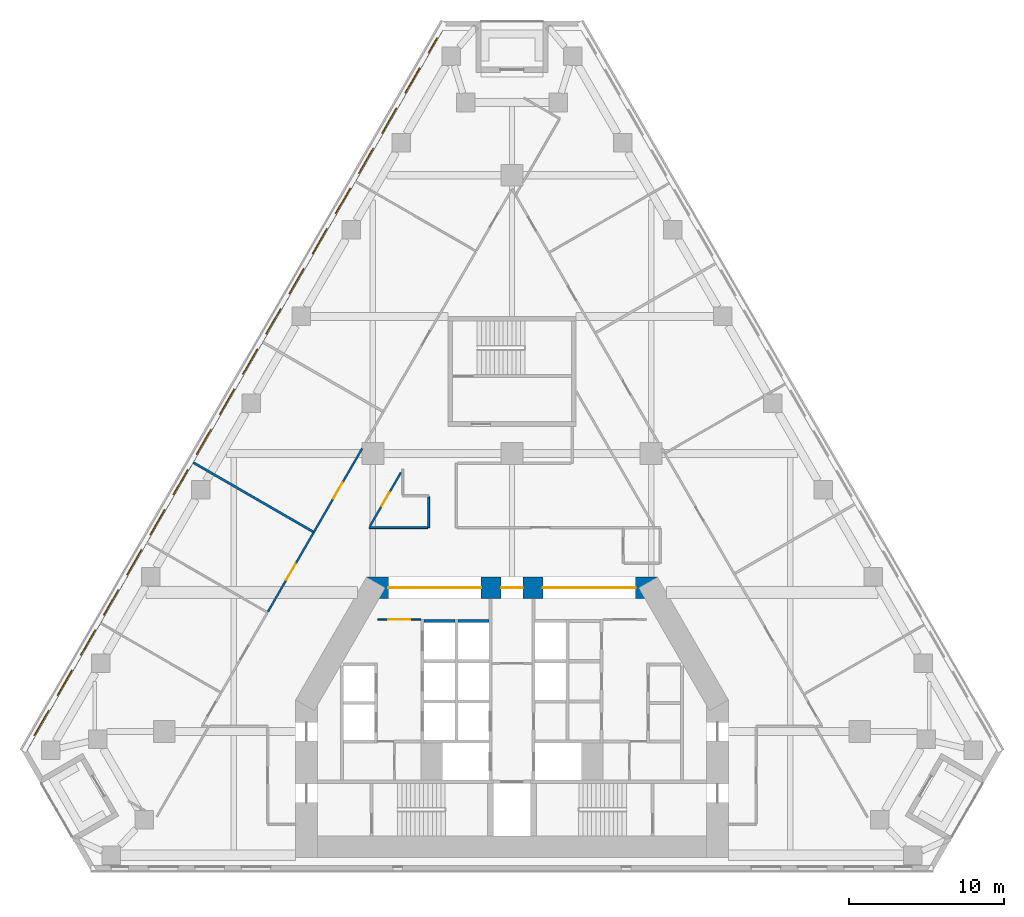
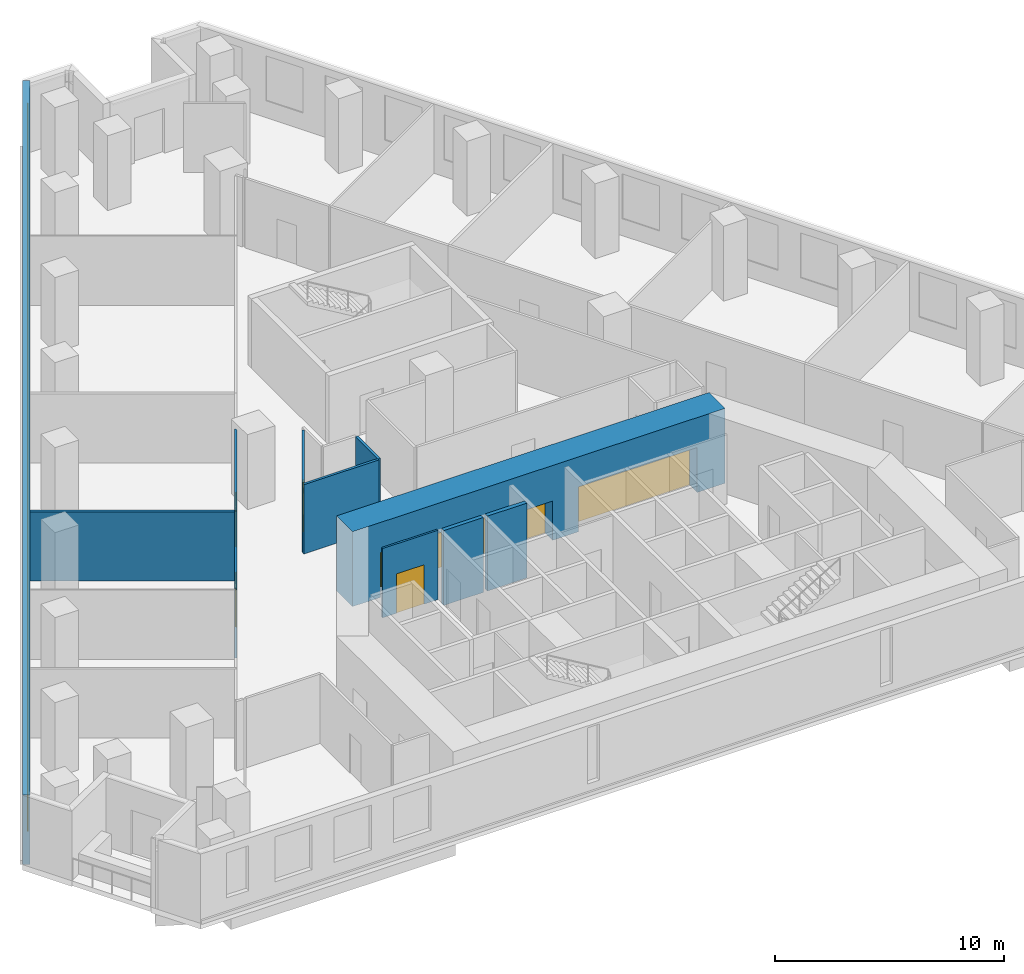
# One storey, part 5 of 11: 18 windows, 11 walls, 7 doors, 25 openings.
"""IFC4 building model written with IfcOpenShell, lengths in metres."""

from ifc_helpers import new_model, si_unit, direction, frame, frame_2d, origin, place, context, subcontext, project, spatial, rectangle, extrude, material, layer, layer_set, type_object, element, fill, save


model = new_model("IFC4")

# Units and contexts
model_context = context("Model", 3, precision=1e-05, world=origin(), true_north=direction((0.0, 1.0)))
body_context = subcontext(model_context, "Body", "Model", "MODEL_VIEW")
ifc_project = project(units=[si_unit("LENGTHUNIT", "METRE"), si_unit("AREAUNIT", "SQUARE_METRE"), si_unit("VOLUMEUNIT", "CUBIC_METRE"), si_unit("PLANEANGLEUNIT", "RADIAN"), si_unit("MASSUNIT", "GRAM", prefix="KILO")], contexts=[model_context])

# Site, building, storey
site_placement = place(None, origin())
site = spatial("IfcSite", under=ifc_project, at=site_placement, CompositionType="ELEMENT")
building_placement = place(site_placement, origin())
building = spatial("IfcBuilding", under=site, at=building_placement, Name="Fogline Exchange Tower", CompositionType="ELEMENT")
storey_placement = place(building_placement, frame((0.0, 0.0, 60.89990234375)))
storey = spatial("IfcBuildingStorey", under=building, at=storey_placement, Name="L12", CompositionType="ELEMENT", Elevation=60.89990234375)

# Wall, opening, door
ifc_material_1 = material(Name="Blockwork partition", Category="masonry")
ifc_layer_1 = layer(ifc_material_1, 0.10009765625)
ifc_layer_set_1 = layer_set([ifc_layer_1], Name="CW10")
wall_type_1 = type_object("IfcWallType", Name="CW10", PredefinedType="PARTITIONING", material=ifc_layer_set_1)
wall_1_placement = place(storey_placement, frame((-8.699951171875, 16.25, 0.0), z_axis=(0.0, 0.0, 1.0), x_axis=(1.0, 0.0, 0.0)))
wall_1 = element("IfcWall", 1, at=wall_1_placement, inside=storey, type_object=wall_type_1, Name="Lift lobby partition", PredefinedType="PARTITIONING", context=body_context, shape_type="SweptSolid", body=[
    extrude(rectangle(XDim=2.800048828125, YDim=0.10009765625, at=frame_2d((1.39990234375, 0.0))), origin(), (0.0, 0.0, 1.0), 3.7001953125),
])
opening_1_placement = place(wall_1_placement, frame((0.699951171875, 0.0, 0.0)))
opening_1 = element("IfcOpeningElement", 2, at=opening_1_placement, cuts=wall_1, Name="Opening T03-C007", PredefinedType="OPENING", context=body_context, shape_type="SweptSolid", body=[
    extrude(rectangle(XDim=1.39990234375, YDim=2.10009765625, at=frame_2d((0.699951171875, 1.050048828125))), frame((0.0, 0.06005859375, 0.0), z_axis=(0.0, -1.0, 0.0), x_axis=(1.0, 0.0, 0.0)), (0.0, 0.0, 1.0), 0.1201171875),
])
ifc_material_2 = material(Name="Steel and timber fire door", Category="steel")
door_type_1 = type_object("IfcDoorType", Name="D-LB1", OperationType="DOUBLE_DOOR_SINGLE_SWING", PredefinedType="DOOR", material=ifc_material_2)
door_1_placement = place(opening_1_placement, origin())
door_1 = element("IfcDoor", 3, at=door_1_placement, inside=storey, type_object=door_type_1, Name="Door to lift lobby", OperationType="DOUBLE_DOOR_SINGLE_SWING", OverallHeight=2.10009765625, OverallWidth=1.39990234375, PredefinedType="DOOR", context=body_context, shape_type="SweptSolid", body=[
    extrude(rectangle(XDim=1.39990234375, YDim=2.10009765625, at=frame_2d((0.699951171875, 1.050048828125))), frame((0.0, 0.02490234375, 0.0), z_axis=(0.0, -1.0, 0.0), x_axis=(1.0, 0.0, 0.0)), (0.0, 0.0, 1.0), 0.050048828125),
])
fill(opening_1, door_1)

# Walls
ifc_material_3 = material(Name="Concrete C40", Category="concrete")
ifc_layer_2 = layer(ifc_material_3, 0.199951171875)
ifc_layer_set_2 = layer_set([ifc_layer_2], Name="CW20S")
wall_type_2 = type_object("IfcWallType", Name="CW20S", PredefinedType="SOLIDWALL", material=ifc_layer_set_2)
for number, where, z_axis, x_axis, name in (
    (4, (-5.699951171875, 16.14990234375, -0.2998046875), (0.0, 0.0, 1.0), (1.0, 0.0, 0.0), "Lift shaft wall"),
    (5, (-3.5, 16.14990234375, -0.2998046875), (0.0, 0.0, 1.0), (1.0, 0.0, 0.0), "Lift shaft wall"),
):
    element("IfcWall", number, at=place(storey_placement, frame(where, z_axis=z_axis, x_axis=x_axis)), inside=storey, type_object=wall_type_2, Name=name, PredefinedType="SOLIDWALL", context=body_context, shape_type="SweptSolid", body=[
        extrude(rectangle(XDim=2.0, YDim=0.199951171875, at=frame_2d((1.0, 0.0))), origin(), (0.0, 0.0, 1.0), 4.0),
    ])

# Wall, openings, windows
ifc_material_4 = material(Name="Brick masonry", Category="masonry")
ifc_layer_3 = layer(ifc_material_4, 0.340087890625)
ifc_layer_set_3 = layer_set([ifc_layer_3], Name="FW1")
wall_type_3 = type_object("IfcWallType", Name="FW1", PredefinedType="SOLIDWALL", material=ifc_layer_set_3)
wall_2_placement = place(storey_placement, frame((-4.352783203125, 54.916748046875, 0.0), z_axis=(0.0, 0.0, 1.0), x_axis=(-0.499997975305, -0.86602657274, 0.0)))
wall_2 = element("IfcWall", 6, at=wall_2_placement, inside=storey, type_object=wall_type_3, Name="Brick wall L12 W", PredefinedType="SOLIDWALL", context=body_context, shape_type="SweptSolid", body=[
    extrude(rectangle(XDim=54.510498046875, YDim=0.340087890625, at=frame_2d((27.25537109375, 0.0))), origin(), (0.0, 0.0, 1.0), 3.7001953125),
])
opening_2_placement = place(wall_2_placement, frame((3.3828125, 0.0, 0.89990234375)))
opening_2 = element("IfcOpeningElement", 7, at=opening_2_placement, cuts=wall_2, Name="Opening W1", PredefinedType="OPENING", context=body_context, shape_type="SweptSolid", body=[
    extrude(rectangle(XDim=1.885009765625, YDim=2.39990234375, at=frame_2d((0.9423828125, 1.199951171875))), frame((0.0, 0.18017578125, 0.0), z_axis=(0.0, -1.0, 0.0), x_axis=(1.0, 0.0, 0.0)), (0.0, 0.0, 1.0), 0.360107421875),
])
opening_3_placement = place(wall_2_placement, frame((6.3828125, 0.0, 0.89990234375)))
opening_3 = element("IfcOpeningElement", 8, at=opening_3_placement, cuts=wall_2, Name="Opening W1", PredefinedType="OPENING", context=body_context, shape_type="SweptSolid", body=[
    extrude(rectangle(XDim=1.885009765625, YDim=2.39990234375, at=frame_2d((0.9423828125, 1.199951171875))), frame((0.0, 0.18017578125, 0.0), z_axis=(0.0, -1.0, 0.0), x_axis=(1.0, 0.0, 0.0)), (0.0, 0.0, 1.0), 0.360107421875),
])
opening_4_placement = place(wall_2_placement, frame((9.3828125, 0.0, 0.89990234375)))
opening_4 = element("IfcOpeningElement", 9, at=opening_4_placement, cuts=wall_2, Name="Opening W1", PredefinedType="OPENING", context=body_context, shape_type="SweptSolid", body=[
    extrude(rectangle(XDim=1.885009765625, YDim=2.39990234375, at=frame_2d((0.9423828125, 1.199951171875))), frame((0.0, 0.18017578125, 0.0), z_axis=(0.0, -1.0, 0.0), x_axis=(1.0, 0.0, 0.0)), (0.0, 0.0, 1.0), 0.360107421875),
])
opening_5_placement = place(wall_2_placement, frame((12.3828125, 0.0, 0.89990234375)))
opening_5 = element("IfcOpeningElement", 10, at=opening_5_placement, cuts=wall_2, Name="Opening W1", PredefinedType="OPENING", context=body_context, shape_type="SweptSolid", body=[
    extrude(rectangle(XDim=1.885009765625, YDim=2.39990234375, at=frame_2d((0.9423828125, 1.199951171875))), frame((0.0, 0.18017578125, 0.0), z_axis=(0.0, -1.0, 0.0), x_axis=(1.0, 0.0, 0.0)), (0.0, 0.0, 1.0), 0.360107421875),
])
opening_6_placement = place(wall_2_placement, frame((15.3828125, 0.0, 0.89990234375)))
opening_6 = element("IfcOpeningElement", 11, at=opening_6_placement, cuts=wall_2, Name="Opening W1", PredefinedType="OPENING", context=body_context, shape_type="SweptSolid", body=[
    extrude(rectangle(XDim=1.885009765625, YDim=2.39990234375, at=frame_2d((0.9423828125, 1.199951171875))), frame((0.0, 0.18017578125, 0.0), z_axis=(0.0, -1.0, 0.0), x_axis=(1.0, 0.0, 0.0)), (0.0, 0.0, 1.0), 0.360107421875),
])
opening_7_placement = place(wall_2_placement, frame((18.3828125, 0.0, 0.89990234375)))
opening_7 = element("IfcOpeningElement", 12, at=opening_7_placement, cuts=wall_2, Name="Opening W1", PredefinedType="OPENING", context=body_context, shape_type="SweptSolid", body=[
    extrude(rectangle(XDim=1.885009765625, YDim=2.39990234375, at=frame_2d((0.9423828125, 1.199951171875))), frame((0.0, 0.18017578125, 0.0), z_axis=(0.0, -1.0, 0.0), x_axis=(1.0, 0.0, 0.0)), (0.0, 0.0, 1.0), 0.360107421875),
])
opening_8_placement = place(wall_2_placement, frame((21.3828125, 0.0, 0.89990234375)))
opening_8 = element("IfcOpeningElement", 13, at=opening_8_placement, cuts=wall_2, Name="Opening W1", PredefinedType="OPENING", context=body_context, shape_type="SweptSolid", body=[
    extrude(rectangle(XDim=1.885009765625, YDim=2.39990234375, at=frame_2d((0.9423828125, 1.199951171875))), frame((0.0, 0.18017578125, 0.0), z_axis=(0.0, -1.0, 0.0), x_axis=(1.0, 0.0, 0.0)), (0.0, 0.0, 1.0), 0.360107421875),
])
opening_9_placement = place(wall_2_placement, frame((24.3828125, 0.0, 0.89990234375)))
opening_9 = element("IfcOpeningElement", 14, at=opening_9_placement, cuts=wall_2, Name="Opening W1", PredefinedType="OPENING", context=body_context, shape_type="SweptSolid", body=[
    extrude(rectangle(XDim=1.885009765625, YDim=2.39990234375, at=frame_2d((0.9423828125, 1.199951171875))), frame((0.0, 0.18017578125, 0.0), z_axis=(0.0, -1.0, 0.0), x_axis=(1.0, 0.0, 0.0)), (0.0, 0.0, 1.0), 0.360107421875),
])
opening_10_placement = place(wall_2_placement, frame((27.3828125, 0.0, 0.89990234375)))
opening_10 = element("IfcOpeningElement", 15, at=opening_10_placement, cuts=wall_2, Name="Opening W1", PredefinedType="OPENING", context=body_context, shape_type="SweptSolid", body=[
    extrude(rectangle(XDim=1.885009765625, YDim=2.39990234375, at=frame_2d((0.9423828125, 1.199951171875))), frame((0.0, 0.18017578125, 0.0), z_axis=(0.0, -1.0, 0.0), x_axis=(1.0, 0.0, 0.0)), (0.0, 0.0, 1.0), 0.360107421875),
])
opening_11_placement = place(wall_2_placement, frame((30.3828125, 0.0, 0.89990234375)))
opening_11 = element("IfcOpeningElement", 16, at=opening_11_placement, cuts=wall_2, Name="Opening W1", PredefinedType="OPENING", context=body_context, shape_type="SweptSolid", body=[
    extrude(rectangle(XDim=1.885009765625, YDim=2.39990234375, at=frame_2d((0.9423828125, 1.199951171875))), frame((0.0, 0.18017578125, 0.0), z_axis=(0.0, -1.0, 0.0), x_axis=(1.0, 0.0, 0.0)), (0.0, 0.0, 1.0), 0.360107421875),
])
opening_12_placement = place(wall_2_placement, frame((33.3828125, 0.0, 0.89990234375)))
opening_12 = element("IfcOpeningElement", 17, at=opening_12_placement, cuts=wall_2, Name="Opening W1", PredefinedType="OPENING", context=body_context, shape_type="SweptSolid", body=[
    extrude(rectangle(XDim=1.885009765625, YDim=2.39990234375, at=frame_2d((0.9423828125, 1.199951171875))), frame((0.0, 0.18017578125, 0.0), z_axis=(0.0, -1.0, 0.0), x_axis=(1.0, 0.0, 0.0)), (0.0, 0.0, 1.0), 0.360107421875),
])
opening_13_placement = place(wall_2_placement, frame((36.3828125, 0.0, 0.89990234375)))
opening_13 = element("IfcOpeningElement", 18, at=opening_13_placement, cuts=wall_2, Name="Opening W1", PredefinedType="OPENING", context=body_context, shape_type="SweptSolid", body=[
    extrude(rectangle(XDim=1.885009765625, YDim=2.39990234375, at=frame_2d((0.9423828125, 1.199951171875))), frame((0.0, 0.18017578125, 0.0), z_axis=(0.0, -1.0, 0.0), x_axis=(1.0, 0.0, 0.0)), (0.0, 0.0, 1.0), 0.360107421875),
])
opening_14_placement = place(wall_2_placement, frame((39.3828125, 0.0, 0.89990234375)))
opening_14 = element("IfcOpeningElement", 19, at=opening_14_placement, cuts=wall_2, Name="Opening W1", PredefinedType="OPENING", context=body_context, shape_type="SweptSolid", body=[
    extrude(rectangle(XDim=1.885009765625, YDim=2.39990234375, at=frame_2d((0.9423828125, 1.199951171875))), frame((0.0, 0.18017578125, 0.0), z_axis=(0.0, -1.0, 0.0), x_axis=(1.0, 0.0, 0.0)), (0.0, 0.0, 1.0), 0.360107421875),
])
opening_15_placement = place(wall_2_placement, frame((42.3828125, 0.0, 0.89990234375)))
opening_15 = element("IfcOpeningElement", 20, at=opening_15_placement, cuts=wall_2, Name="Opening W1", PredefinedType="OPENING", context=body_context, shape_type="SweptSolid", body=[
    extrude(rectangle(XDim=1.885009765625, YDim=2.39990234375, at=frame_2d((0.9423828125, 1.199951171875))), frame((0.0, 0.18017578125, 0.0), z_axis=(0.0, -1.0, 0.0), x_axis=(1.0, 0.0, 0.0)), (0.0, 0.0, 1.0), 0.360107421875),
])
opening_16_placement = place(wall_2_placement, frame((45.3828125, 0.0, 0.89990234375)))
opening_16 = element("IfcOpeningElement", 21, at=opening_16_placement, cuts=wall_2, Name="Opening W1", PredefinedType="OPENING", context=body_context, shape_type="SweptSolid", body=[
    extrude(rectangle(XDim=1.885009765625, YDim=2.39990234375, at=frame_2d((0.9423828125, 1.199951171875))), frame((0.0, 0.18017578125, 0.0), z_axis=(0.0, -1.0, 0.0), x_axis=(1.0, 0.0, 0.0)), (0.0, 0.0, 1.0), 0.360107421875),
])
opening_17_placement = place(wall_2_placement, frame((48.3828125, 0.0, 0.89990234375)))
opening_17 = element("IfcOpeningElement", 22, at=opening_17_placement, cuts=wall_2, Name="Opening W1", PredefinedType="OPENING", context=body_context, shape_type="SweptSolid", body=[
    extrude(rectangle(XDim=1.885009765625, YDim=2.39990234375, at=frame_2d((0.9423828125, 1.199951171875))), frame((0.0, 0.18017578125, 0.0), z_axis=(0.0, -1.0, 0.0), x_axis=(1.0, 0.0, 0.0)), (0.0, 0.0, 1.0), 0.360107421875),
])
opening_18_placement = place(wall_2_placement, frame((51.3828125, 0.0, 0.89990234375)))
opening_18 = element("IfcOpeningElement", 23, at=opening_18_placement, cuts=wall_2, Name="Opening W1", PredefinedType="OPENING", context=body_context, shape_type="SweptSolid", body=[
    extrude(rectangle(XDim=1.885009765625, YDim=2.39990234375, at=frame_2d((0.9423828125, 1.199951171875))), frame((0.0, 0.18017578125, 0.0), z_axis=(0.0, -1.0, 0.0), x_axis=(1.0, 0.0, 0.0)), (0.0, 0.0, 1.0), 0.360107421875),
])
opening_19_placement = place(wall_2_placement, frame((1.1337890625, 0.0, 0.89990234375)))
opening_19 = element("IfcOpeningElement", 24, at=opening_19_placement, cuts=wall_2, Name="Opening W4", PredefinedType="OPENING", context=body_context, shape_type="SweptSolid", body=[
    extrude(rectangle(XDim=1.114990234375, YDim=2.39990234375, at=frame_2d((0.5576171875, 1.199951171875))), frame((0.0, 0.18017578125, 0.0), z_axis=(0.0, -1.0, 0.0), x_axis=(1.0, 0.0, 0.0)), (0.0, 0.0, 1.0), 0.360107421875),
])
ifc_material_5 = material(Name="Aluminium and glass", Category="aluminium")
window_type_1 = type_object("IfcWindowType", Name="W1", PartitioningType="SINGLE_PANEL", PredefinedType="WINDOW", material=ifc_material_5)
window_1_placement = place(opening_2_placement, origin())
window_1 = element("IfcWindow", 25, at=window_1_placement, inside=storey, type_object=window_type_1, Name="W1 W1", OverallHeight=2.39990234375, OverallWidth=1.885009765625, PartitioningType="SINGLE_PANEL", PredefinedType="WINDOW", context=body_context, shape_type="SweptSolid", body=[
    extrude(rectangle(XDim=1.885009765625, YDim=2.39990234375, at=frame_2d((0.9423828125, 1.199951171875))), frame((0.0, 0.110107421875, 0.0), z_axis=(0.0, -1.0, 0.0), x_axis=(1.0, 0.0, 0.0)), (0.0, 0.0, 1.0), 0.06005859375),
])
fill(opening_2, window_1)
window_2_placement = place(opening_3_placement, origin())
window_2 = element("IfcWindow", 26, at=window_2_placement, inside=storey, type_object=window_type_1, Name="W1 W1", OverallHeight=2.39990234375, OverallWidth=1.885009765625, PartitioningType="SINGLE_PANEL", PredefinedType="WINDOW", context=body_context, shape_type="SweptSolid", body=[
    extrude(rectangle(XDim=1.885009765625, YDim=2.39990234375, at=frame_2d((0.9423828125, 1.199951171875))), frame((0.0, 0.110107421875, 0.0), z_axis=(0.0, -1.0, 0.0), x_axis=(1.0, 0.0, 0.0)), (0.0, 0.0, 1.0), 0.06005859375),
])
fill(opening_3, window_2)
window_3_placement = place(opening_4_placement, origin())
window_3 = element("IfcWindow", 27, at=window_3_placement, inside=storey, type_object=window_type_1, Name="W1 W1", OverallHeight=2.39990234375, OverallWidth=1.885009765625, PartitioningType="SINGLE_PANEL", PredefinedType="WINDOW", context=body_context, shape_type="SweptSolid", body=[
    extrude(rectangle(XDim=1.885009765625, YDim=2.39990234375, at=frame_2d((0.9423828125, 1.199951171875))), frame((0.0, 0.110107421875, 0.0), z_axis=(0.0, -1.0, 0.0), x_axis=(1.0, 0.0, 0.0)), (0.0, 0.0, 1.0), 0.06005859375),
])
fill(opening_4, window_3)
window_4_placement = place(opening_5_placement, origin())
window_4 = element("IfcWindow", 28, at=window_4_placement, inside=storey, type_object=window_type_1, Name="W1 W1", OverallHeight=2.39990234375, OverallWidth=1.885009765625, PartitioningType="SINGLE_PANEL", PredefinedType="WINDOW", context=body_context, shape_type="SweptSolid", body=[
    extrude(rectangle(XDim=1.885009765625, YDim=2.39990234375, at=frame_2d((0.9423828125, 1.199951171875))), frame((0.0, 0.110107421875, 0.0), z_axis=(0.0, -1.0, 0.0), x_axis=(1.0, 0.0, 0.0)), (0.0, 0.0, 1.0), 0.06005859375),
])
fill(opening_5, window_4)
window_5_placement = place(opening_6_placement, origin())
window_5 = element("IfcWindow", 29, at=window_5_placement, inside=storey, type_object=window_type_1, Name="W1 W1", OverallHeight=2.39990234375, OverallWidth=1.885009765625, PartitioningType="SINGLE_PANEL", PredefinedType="WINDOW", context=body_context, shape_type="SweptSolid", body=[
    extrude(rectangle(XDim=1.885009765625, YDim=2.39990234375, at=frame_2d((0.9423828125, 1.199951171875))), frame((0.0, 0.110107421875, 0.0), z_axis=(0.0, -1.0, 0.0), x_axis=(1.0, 0.0, 0.0)), (0.0, 0.0, 1.0), 0.06005859375),
])
fill(opening_6, window_5)
window_6_placement = place(opening_7_placement, origin())
window_6 = element("IfcWindow", 30, at=window_6_placement, inside=storey, type_object=window_type_1, Name="W1 W1", OverallHeight=2.39990234375, OverallWidth=1.885009765625, PartitioningType="SINGLE_PANEL", PredefinedType="WINDOW", context=body_context, shape_type="SweptSolid", body=[
    extrude(rectangle(XDim=1.885009765625, YDim=2.39990234375, at=frame_2d((0.9423828125, 1.199951171875))), frame((0.0, 0.110107421875, 0.0), z_axis=(0.0, -1.0, 0.0), x_axis=(1.0, 0.0, 0.0)), (0.0, 0.0, 1.0), 0.06005859375),
])
fill(opening_7, window_6)
window_7_placement = place(opening_8_placement, origin())
window_7 = element("IfcWindow", 31, at=window_7_placement, inside=storey, type_object=window_type_1, Name="W1 W1", OverallHeight=2.39990234375, OverallWidth=1.885009765625, PartitioningType="SINGLE_PANEL", PredefinedType="WINDOW", context=body_context, shape_type="SweptSolid", body=[
    extrude(rectangle(XDim=1.885009765625, YDim=2.39990234375, at=frame_2d((0.9423828125, 1.199951171875))), frame((0.0, 0.110107421875, 0.0), z_axis=(0.0, -1.0, 0.0), x_axis=(1.0, 0.0, 0.0)), (0.0, 0.0, 1.0), 0.06005859375),
])
fill(opening_8, window_7)
window_8_placement = place(opening_9_placement, origin())
window_8 = element("IfcWindow", 32, at=window_8_placement, inside=storey, type_object=window_type_1, Name="W1 W1", OverallHeight=2.39990234375, OverallWidth=1.885009765625, PartitioningType="SINGLE_PANEL", PredefinedType="WINDOW", context=body_context, shape_type="SweptSolid", body=[
    extrude(rectangle(XDim=1.885009765625, YDim=2.39990234375, at=frame_2d((0.9423828125, 1.199951171875))), frame((0.0, 0.110107421875, 0.0), z_axis=(0.0, -1.0, 0.0), x_axis=(1.0, 0.0, 0.0)), (0.0, 0.0, 1.0), 0.06005859375),
])
fill(opening_9, window_8)
window_9_placement = place(opening_10_placement, origin())
window_9 = element("IfcWindow", 33, at=window_9_placement, inside=storey, type_object=window_type_1, Name="W1 W1", OverallHeight=2.39990234375, OverallWidth=1.885009765625, PartitioningType="SINGLE_PANEL", PredefinedType="WINDOW", context=body_context, shape_type="SweptSolid", body=[
    extrude(rectangle(XDim=1.885009765625, YDim=2.39990234375, at=frame_2d((0.9423828125, 1.199951171875))), frame((0.0, 0.110107421875, 0.0), z_axis=(0.0, -1.0, 0.0), x_axis=(1.0, 0.0, 0.0)), (0.0, 0.0, 1.0), 0.06005859375),
])
fill(opening_10, window_9)
window_10_placement = place(opening_11_placement, origin())
window_10 = element("IfcWindow", 34, at=window_10_placement, inside=storey, type_object=window_type_1, Name="W1 W1", OverallHeight=2.39990234375, OverallWidth=1.885009765625, PartitioningType="SINGLE_PANEL", PredefinedType="WINDOW", context=body_context, shape_type="SweptSolid", body=[
    extrude(rectangle(XDim=1.885009765625, YDim=2.39990234375, at=frame_2d((0.9423828125, 1.199951171875))), frame((0.0, 0.110107421875, 0.0), z_axis=(0.0, -1.0, 0.0), x_axis=(1.0, 0.0, 0.0)), (0.0, 0.0, 1.0), 0.06005859375),
])
fill(opening_11, window_10)
window_11_placement = place(opening_12_placement, origin())
window_11 = element("IfcWindow", 35, at=window_11_placement, inside=storey, type_object=window_type_1, Name="W1 W1", OverallHeight=2.39990234375, OverallWidth=1.885009765625, PartitioningType="SINGLE_PANEL", PredefinedType="WINDOW", context=body_context, shape_type="SweptSolid", body=[
    extrude(rectangle(XDim=1.885009765625, YDim=2.39990234375, at=frame_2d((0.9423828125, 1.199951171875))), frame((0.0, 0.110107421875, 0.0), z_axis=(0.0, -1.0, 0.0), x_axis=(1.0, 0.0, 0.0)), (0.0, 0.0, 1.0), 0.06005859375),
])
fill(opening_12, window_11)
window_12_placement = place(opening_13_placement, origin())
window_12 = element("IfcWindow", 36, at=window_12_placement, inside=storey, type_object=window_type_1, Name="W1 W1", OverallHeight=2.39990234375, OverallWidth=1.885009765625, PartitioningType="SINGLE_PANEL", PredefinedType="WINDOW", context=body_context, shape_type="SweptSolid", body=[
    extrude(rectangle(XDim=1.885009765625, YDim=2.39990234375, at=frame_2d((0.9423828125, 1.199951171875))), frame((0.0, 0.110107421875, 0.0), z_axis=(0.0, -1.0, 0.0), x_axis=(1.0, 0.0, 0.0)), (0.0, 0.0, 1.0), 0.06005859375),
])
fill(opening_13, window_12)
window_13_placement = place(opening_14_placement, origin())
window_13 = element("IfcWindow", 37, at=window_13_placement, inside=storey, type_object=window_type_1, Name="W1 W1", OverallHeight=2.39990234375, OverallWidth=1.885009765625, PartitioningType="SINGLE_PANEL", PredefinedType="WINDOW", context=body_context, shape_type="SweptSolid", body=[
    extrude(rectangle(XDim=1.885009765625, YDim=2.39990234375, at=frame_2d((0.9423828125, 1.199951171875))), frame((0.0, 0.110107421875, 0.0), z_axis=(0.0, -1.0, 0.0), x_axis=(1.0, 0.0, 0.0)), (0.0, 0.0, 1.0), 0.06005859375),
])
fill(opening_14, window_13)
window_14_placement = place(opening_15_placement, origin())
window_14 = element("IfcWindow", 38, at=window_14_placement, inside=storey, type_object=window_type_1, Name="W1 W1", OverallHeight=2.39990234375, OverallWidth=1.885009765625, PartitioningType="SINGLE_PANEL", PredefinedType="WINDOW", context=body_context, shape_type="SweptSolid", body=[
    extrude(rectangle(XDim=1.885009765625, YDim=2.39990234375, at=frame_2d((0.9423828125, 1.199951171875))), frame((0.0, 0.110107421875, 0.0), z_axis=(0.0, -1.0, 0.0), x_axis=(1.0, 0.0, 0.0)), (0.0, 0.0, 1.0), 0.06005859375),
])
fill(opening_15, window_14)
window_15_placement = place(opening_16_placement, origin())
window_15 = element("IfcWindow", 39, at=window_15_placement, inside=storey, type_object=window_type_1, Name="W1 W1", OverallHeight=2.39990234375, OverallWidth=1.885009765625, PartitioningType="SINGLE_PANEL", PredefinedType="WINDOW", context=body_context, shape_type="SweptSolid", body=[
    extrude(rectangle(XDim=1.885009765625, YDim=2.39990234375, at=frame_2d((0.9423828125, 1.199951171875))), frame((0.0, 0.110107421875, 0.0), z_axis=(0.0, -1.0, 0.0), x_axis=(1.0, 0.0, 0.0)), (0.0, 0.0, 1.0), 0.06005859375),
])
fill(opening_16, window_15)
window_16_placement = place(opening_17_placement, origin())
window_16 = element("IfcWindow", 40, at=window_16_placement, inside=storey, type_object=window_type_1, Name="W1 W1", OverallHeight=2.39990234375, OverallWidth=1.885009765625, PartitioningType="SINGLE_PANEL", PredefinedType="WINDOW", context=body_context, shape_type="SweptSolid", body=[
    extrude(rectangle(XDim=1.885009765625, YDim=2.39990234375, at=frame_2d((0.9423828125, 1.199951171875))), frame((0.0, 0.110107421875, 0.0), z_axis=(0.0, -1.0, 0.0), x_axis=(1.0, 0.0, 0.0)), (0.0, 0.0, 1.0), 0.06005859375),
])
fill(opening_17, window_16)
window_17_placement = place(opening_18_placement, origin())
window_17 = element("IfcWindow", 41, at=window_17_placement, inside=storey, type_object=window_type_1, Name="W1 W1", OverallHeight=2.39990234375, OverallWidth=1.885009765625, PartitioningType="SINGLE_PANEL", PredefinedType="WINDOW", context=body_context, shape_type="SweptSolid", body=[
    extrude(rectangle(XDim=1.885009765625, YDim=2.39990234375, at=frame_2d((0.9423828125, 1.199951171875))), frame((0.0, 0.110107421875, 0.0), z_axis=(0.0, -1.0, 0.0), x_axis=(1.0, 0.0, 0.0)), (0.0, 0.0, 1.0), 0.06005859375),
])
fill(opening_18, window_17)
window_type_2 = type_object("IfcWindowType", Name="W4", PartitioningType="SINGLE_PANEL", PredefinedType="WINDOW", material=ifc_material_5)
window_18_placement = place(opening_19_placement, origin())
window_18 = element("IfcWindow", 42, at=window_18_placement, inside=storey, type_object=window_type_2, Name="W4 W4", OverallHeight=2.39990234375, OverallWidth=1.114990234375, PartitioningType="SINGLE_PANEL", PredefinedType="WINDOW", context=body_context, shape_type="SweptSolid", body=[
    extrude(rectangle(XDim=1.114990234375, YDim=2.39990234375, at=frame_2d((0.5576171875, 1.199951171875))), frame((0.0, 0.110107421875, 0.0), z_axis=(0.0, -1.0, 0.0), x_axis=(1.0, 0.0, 0.0)), (0.0, 0.0, 1.0), 0.06005859375),
])
fill(opening_19, window_18)

# Wall
ifc_material_6 = material(Name="Plasterboard corridor partition with mineral wool, 2 layers each side")
ifc_layer_4 = layer(ifc_material_6, 0.125)
ifc_layer_set_4 = layer_set([ifc_layer_4], Name="PW2")
wall_type_4 = type_object("IfcWallType", Name="PW2", PredefinedType="PARTITIONING", material=ifc_layer_set_4)
wall_3_placement = place(storey_placement, frame((-9.246826171875, 22.199951171875, 0.0), z_axis=(0.0, 0.0, 1.0), x_axis=(1.0, 0.0, 0.0)))
element("IfcWall", 43, at=wall_3_placement, inside=storey, type_object=wall_type_4, Name="wall-L12-W007", PredefinedType="PARTITIONING", context=body_context, shape_type="SweptSolid", body=[
    extrude(rectangle(XDim=3.784423828125, YDim=0.125, at=frame_2d((1.89208984375, 0.0))), origin(), (0.0, 0.0, 1.0), 3.7001953125),
])

# Wall, opening, door
wall_4_placement = place(storey_placement, frame((-12.823974609375, 21.904052734375, 0.0), z_axis=(0.0, 0.0, 1.0), x_axis=(0.500005450501, 0.866022256913, 0.0)))
wall_4 = element("IfcWall", 44, at=wall_4_placement, inside=storey, type_object=wall_type_4, Name="wall-L12-W020", PredefinedType="PARTITIONING", context=body_context, shape_type="SweptSolid", body=[
    extrude(rectangle(XDim=6.248046875, YDim=0.125, at=frame_2d((3.1240234375, 0.0))), origin(), (0.0, 0.0, 1.0), 3.7001953125),
])
opening_20_placement = place(wall_4_placement, frame((2.52392578125, 0.0, 0.0)))
opening_20 = element("IfcOpeningElement", 45, at=opening_20_placement, cuts=wall_4, Name="Opening T03-D011", PredefinedType="OPENING", context=body_context, shape_type="SweptSolid", body=[
    extrude(rectangle(XDim=1.199951171875, YDim=2.10009765625, at=frame_2d((0.60009765625, 1.050048828125))), frame((0.0, 0.072509765625, 0.0), z_axis=(0.0, -1.0, 0.0), x_axis=(1.0, 0.0, 0.0)), (0.0, 0.0, 1.0), 0.14501953125),
])
ifc_material_7 = material(Name="Fire-rated glazed door leaf with steel frame", Category="steel")
door_type_2 = type_object("IfcDoorType", Name="D5", OperationType="SINGLE_SWING_LEFT", PredefinedType="DOOR", material=ifc_material_7)
door_2_placement = place(opening_20_placement, origin())
door_2 = element("IfcDoor", 46, at=door_2_placement, inside=storey, type_object=door_type_2, Name="door-L12-D011", OperationType="SINGLE_SWING_LEFT", OverallHeight=2.10009765625, OverallWidth=1.199951171875, PredefinedType="DOOR", context=body_context, shape_type="SweptSolid", body=[
    extrude(rectangle(XDim=1.199951171875, YDim=2.10009765625, at=frame_2d((0.60009765625, 1.050048828125))), frame((0.0, 0.02490234375, 0.0), z_axis=(0.0, -1.0, 0.0), x_axis=(1.0, 0.0, 0.0)), (0.0, 0.0, 1.0), 0.050048828125),
])
fill(opening_20, door_2)

wall_5_placement = place(storey_placement, frame((-7.186767578125, 25.76806640625, 0.0), z_axis=(0.0, 0.0, 1.0), x_axis=(-0.499994660107, -0.866028486751, 0.0)))
wall_5 = element("IfcWall", 47, at=wall_5_placement, inside=storey, type_object=wall_type_4, Name="wall-L12-W022", PredefinedType="PARTITIONING", context=body_context, shape_type="SweptSolid", body=[
    extrude(rectangle(XDim=4.01123046875, YDim=0.125, at=frame_2d((2.005615234375, 0.0))), origin(), (0.0, 0.0, 1.0), 3.7001953125),
])
opening_21_placement = place(wall_5_placement, frame((1.505615234375, 0.0, 0.0)))
opening_21 = element("IfcOpeningElement", 48, at=opening_21_placement, cuts=wall_5, Name="Opening T03-D012", PredefinedType="OPENING", context=body_context, shape_type="SweptSolid", body=[
    extrude(rectangle(XDim=1.0, YDim=2.10009765625, at=frame_2d((0.5, 1.050048828125))), frame((0.0, 0.072509765625, 0.0), z_axis=(0.0, -1.0, 0.0), x_axis=(1.0, 0.0, 0.0)), (0.0, 0.0, 1.0), 0.14501953125),
])
ifc_material_8 = material(Name="Fire-rated timber door leaf with steel frame", Category="steel")
door_type_3 = type_object("IfcDoorType", Name="D3", OperationType="SINGLE_SWING_LEFT", PredefinedType="DOOR", material=ifc_material_8)
door_3_placement = place(opening_21_placement, origin())
door_3 = element("IfcDoor", 49, at=door_3_placement, inside=storey, type_object=door_type_3, Name="door-L12-D012", OperationType="SINGLE_SWING_LEFT", OverallHeight=2.10009765625, OverallWidth=1.0, PredefinedType="DOOR", context=body_context, shape_type="SweptSolid", body=[
    extrude(rectangle(XDim=1.0, YDim=2.10009765625, at=frame_2d((0.5, 1.050048828125))), frame((0.0, 0.02490234375, 0.0), z_axis=(0.0, -1.0, 0.0), x_axis=(1.0, 0.0, 0.0)), (0.0, 0.0, 1.0), 0.050048828125),
])
fill(opening_21, door_3)

wall_6_placement = place(storey_placement, frame((-15.798828125, 16.751708984375, 0.0), z_axis=(0.0, 0.0, 1.0), x_axis=(0.500018463402, 0.866014743672, 0.0)))
wall_6 = element("IfcWall", 50, at=wall_6_placement, inside=storey, type_object=wall_type_4, Name="wall-L12-W023", PredefinedType="PARTITIONING", context=body_context, shape_type="SweptSolid", body=[
    extrude(rectangle(XDim=5.949462890625, YDim=0.125, at=frame_2d((2.974609375, 0.0))), origin(), (0.0, 0.0, 1.0), 3.7001953125),
])
opening_22_placement = place(wall_6_placement, frame((2.374755859375, 0.0, 0.0)))
opening_22 = element("IfcOpeningElement", 51, at=opening_22_placement, cuts=wall_6, Name="Opening T03-D013", PredefinedType="OPENING", context=body_context, shape_type="SweptSolid", body=[
    extrude(rectangle(XDim=1.199951171875, YDim=2.10009765625, at=frame_2d((0.60009765625, 1.050048828125))), frame((0.0, 0.072509765625, 0.0), z_axis=(0.0, -1.0, 0.0), x_axis=(1.0, 0.0, 0.0)), (0.0, 0.0, 1.0), 0.14501953125),
])
door_4_placement = place(opening_22_placement, origin())
door_4 = element("IfcDoor", 52, at=door_4_placement, inside=storey, type_object=door_type_2, Name="door-L12-D013", OperationType="SINGLE_SWING_LEFT", OverallHeight=2.10009765625, OverallWidth=1.199951171875, PredefinedType="DOOR", context=body_context, shape_type="SweptSolid", body=[
    extrude(rectangle(XDim=1.199951171875, YDim=2.10009765625, at=frame_2d((0.60009765625, 1.050048828125))), frame((0.0, 0.02490234375, 0.0), z_axis=(0.0, -1.0, 0.0), x_axis=(1.0, 0.0, 0.0)), (0.0, 0.0, 1.0), 0.050048828125),
])
fill(opening_22, door_4)

# Walls
wall_7_placement = place(storey_placement, frame((-5.39990234375, 22.199951171875, 0.0), z_axis=(0.0, 0.0, 1.0), x_axis=(0.0, 1.0, 0.0)))
element("IfcWall", 53, at=wall_7_placement, inside=storey, type_object=wall_type_4, Name="wall-L12-W038", PredefinedType="PARTITIONING", context=body_context, shape_type="SweptSolid", body=[
    extrude(rectangle(XDim=1.99462890625, YDim=0.125, at=frame_2d((0.997314453125, 0.0))), origin(), (0.0, 0.0, 1.0), 3.7001953125),
])
ifc_material_9 = material(Name="Plasterboard demising partition with mineral wool and acoustic board")
ifc_layer_5 = layer(ifc_material_9, 0.14990234375)
ifc_layer_set_5 = layer_set([ifc_layer_5], Name="PW3")
wall_type_5 = type_object("IfcWallType", Name="PW3", PredefinedType="PARTITIONING", material=ifc_layer_set_5)
wall_8_placement = place(storey_placement, frame((-12.878173828125, 21.935302734375, 0.0), z_axis=(0.0, 0.0, 1.0), x_axis=(-0.866022276127, 0.500005417223, 0.0)))
element("IfcWall", 54, at=wall_8_placement, inside=storey, type_object=wall_type_5, Name="wall-L12-W050", PredefinedType="PARTITIONING", context=body_context, shape_type="SweptSolid", body=[
    extrude(rectangle(XDim=8.9375, YDim=0.14990234375, at=frame_2d((4.46875, 0.0))), origin(), (0.0, 0.0, 1.0), 3.7001953125),
])

# Wall, openings, doors
ifc_material_10 = material(Name="Concrete C60", Category="concrete")
ifc_layer_6 = layer(ifc_material_10, 1.39990234375)
ifc_layer_set_6 = layer_set([ifc_layer_6], Name="SW01")
wall_type_6 = type_object("IfcWallType", Name="SW01", PredefinedType="SHEAR", material=ifc_layer_set_6)
wall_9_placement = place(storey_placement, frame((9.41162109375, 18.300048828125, 0.0), z_axis=(0.0, 0.0, 1.0), x_axis=(-1.0, 0.0, 0.0)))
wall_9 = element("IfcWall", 55, at=wall_9_placement, inside=storey, type_object=wall_type_6, Name="L12-W904", PredefinedType="SHEAR", context=body_context, shape_type="SweptSolid", body=[
    extrude(rectangle(XDim=18.8232421875, YDim=1.39990234375, at=frame_2d((9.41162109375, 0.0))), origin(), (0.0, 0.0, 1.0), 4.0),
])
opening_23_placement = place(wall_9_placement, frame((8.71142578125, 0.0, 0.0)))
opening_23 = element("IfcOpeningElement", 56, at=opening_23_placement, cuts=wall_9, Name="Opening T03-C020", PredefinedType="OPENING", context=body_context, shape_type="SweptSolid", body=[
    extrude(rectangle(XDim=1.39990234375, YDim=2.10009765625, at=frame_2d((0.699951171875, 1.050048828125))), frame((0.0, 0.7099609375, 0.0), z_axis=(0.0, -1.0, 0.0), x_axis=(1.0, 0.0, 0.0)), (0.0, 0.0, 1.0), 1.419921875),
])
opening_24_placement = place(wall_9_placement, frame((11.41162109375, 0.0, 0.0)))
opening_24 = element("IfcOpeningElement", 57, at=opening_24_placement, cuts=wall_9, Name="Opening T03-C021", PredefinedType="OPENING", context=body_context, shape_type="SweptSolid", body=[
    extrude(rectangle(XDim=6.0, YDim=2.39990234375, at=frame_2d((3.0, 1.199951171875))), frame((0.0, 0.7099609375, 0.0), z_axis=(0.0, -1.0, 0.0), x_axis=(1.0, 0.0, 0.0)), (0.0, 0.0, 1.0), 1.419921875),
])
opening_25_placement = place(wall_9_placement, frame((1.41162109375, 0.0, 0.0)))
opening_25 = element("IfcOpeningElement", 58, at=opening_25_placement, cuts=wall_9, Name="Opening T03-C022", PredefinedType="OPENING", context=body_context, shape_type="SweptSolid", body=[
    extrude(rectangle(XDim=6.0, YDim=2.39990234375, at=frame_2d((3.0, 1.199951171875))), frame((0.0, 0.7099609375, 0.0), z_axis=(0.0, -1.0, 0.0), x_axis=(1.0, 0.0, 0.0)), (0.0, 0.0, 1.0), 1.419921875),
])
door_5_placement = place(opening_23_placement, origin())
door_5 = element("IfcDoor", 59, at=door_5_placement, inside=storey, type_object=door_type_1, Name="Protected lobby door", OperationType="DOUBLE_DOOR_SINGLE_SWING", OverallHeight=2.10009765625, OverallWidth=1.39990234375, PredefinedType="DOOR", context=body_context, shape_type="SweptSolid", body=[
    extrude(rectangle(XDim=1.39990234375, YDim=2.10009765625, at=frame_2d((0.699951171875, 1.050048828125))), frame((0.0, 0.02490234375, 0.0), z_axis=(0.0, -1.0, 0.0), x_axis=(1.0, 0.0, 0.0)), (0.0, 0.0, 1.0), 0.050048828125),
])
fill(opening_23, door_5)
door_type_4 = type_object("IfcDoorType", Name="D-LE1", OperationType="DOUBLE_DOOR_SLIDING", PredefinedType="DOOR", material=ifc_material_2)
door_6_placement = place(opening_24_placement, origin())
door_6 = element("IfcDoor", 60, at=door_6_placement, inside=storey, type_object=door_type_4, Name="Lift lobby entrance west", OperationType="DOUBLE_DOOR_SLIDING", OverallHeight=2.39990234375, OverallWidth=6.0, PredefinedType="DOOR", context=body_context, shape_type="SweptSolid", body=[
    extrude(rectangle(XDim=6.0, YDim=2.39990234375, at=frame_2d((3.0, 1.199951171875))), frame((0.0, 0.02490234375, 0.0), z_axis=(0.0, -1.0, 0.0), x_axis=(1.0, 0.0, 0.0)), (0.0, 0.0, 1.0), 0.050048828125),
])
fill(opening_24, door_6)
door_7_placement = place(opening_25_placement, origin())
door_7 = element("IfcDoor", 61, at=door_7_placement, inside=storey, type_object=door_type_4, Name="Lift lobby entrance east", OperationType="DOUBLE_DOOR_SLIDING", OverallHeight=2.39990234375, OverallWidth=6.0, PredefinedType="DOOR", context=body_context, shape_type="SweptSolid", body=[
    extrude(rectangle(XDim=6.0, YDim=2.39990234375, at=frame_2d((3.0, 1.199951171875))), frame((0.0, 0.02490234375, 0.0), z_axis=(0.0, -1.0, 0.0), x_axis=(1.0, 0.0, 0.0)), (0.0, 0.0, 1.0), 0.050048828125),
])
fill(opening_25, door_7)

save(model, "model.ifc")
